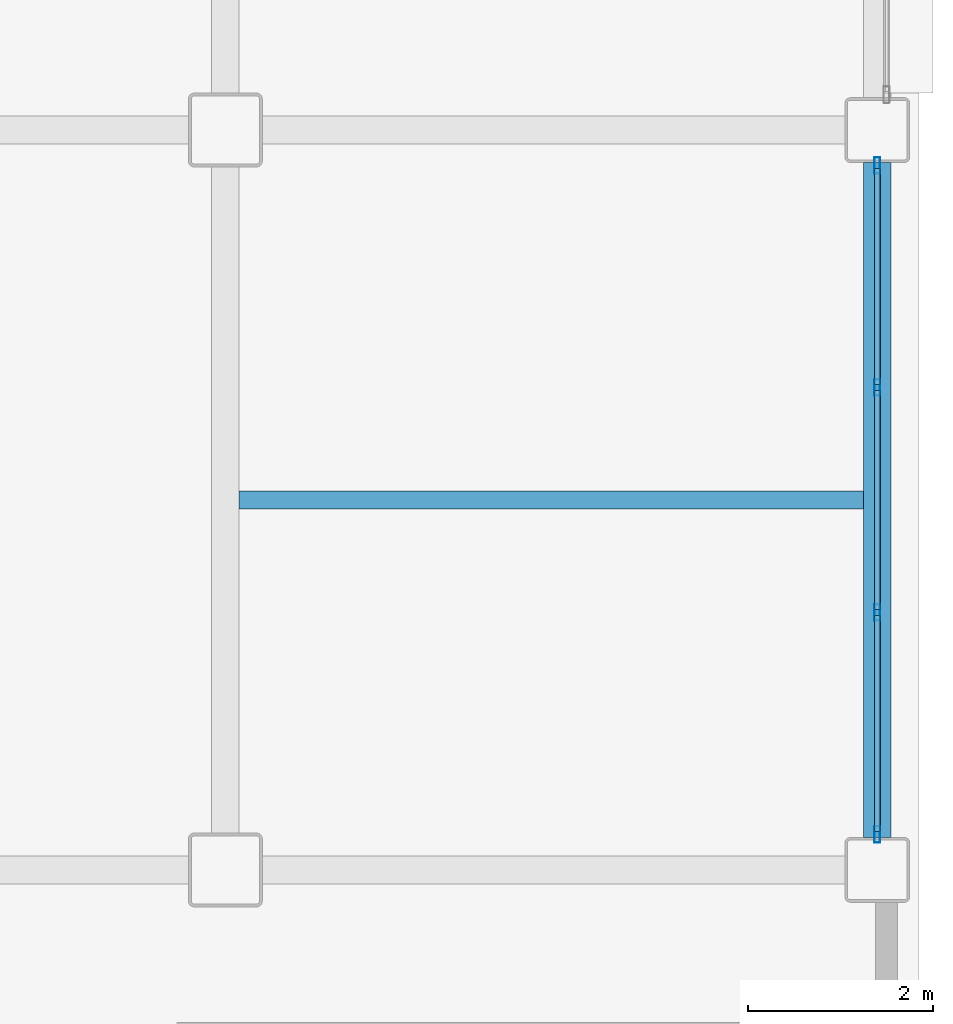
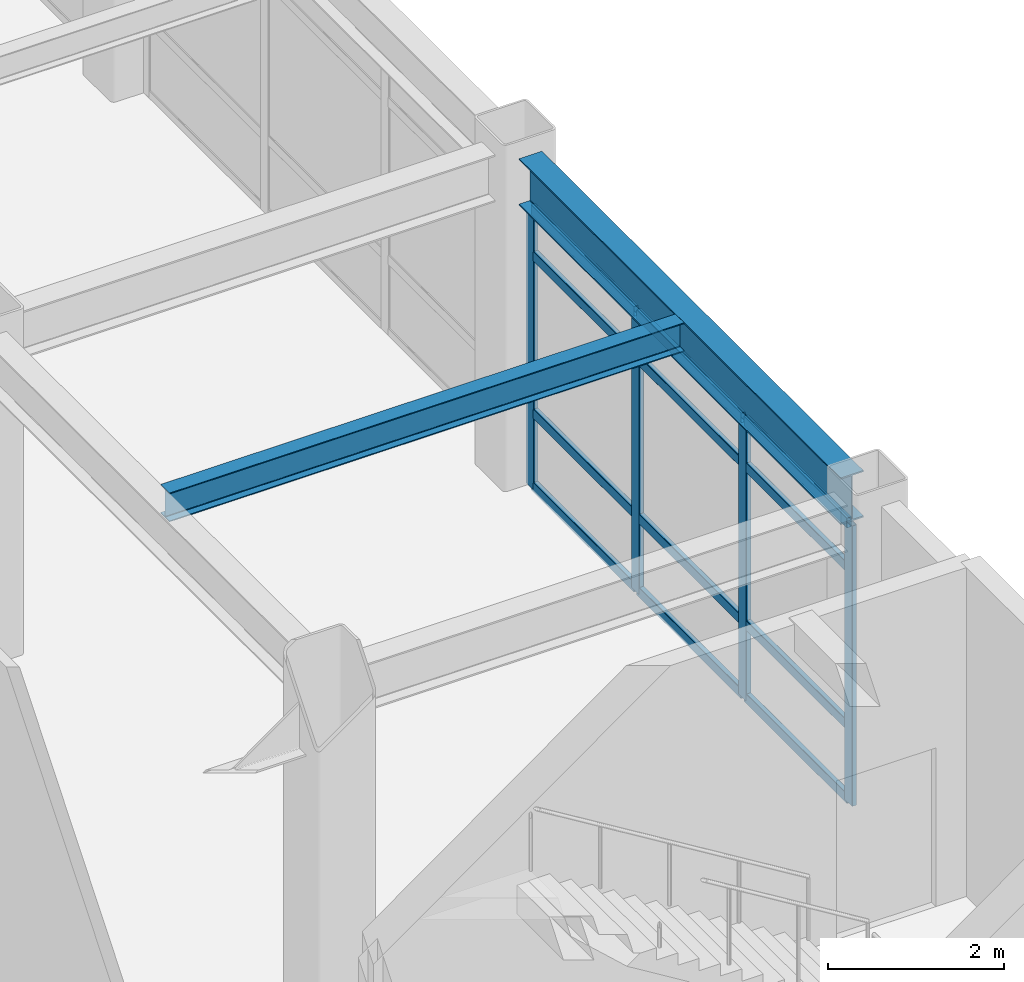
# One storey, part 89 of 154: 16 members, 2 beams, 1 element without a shape of its own.
"""IFC4 building model written with IfcOpenShell, lengths in metres."""

from ifc_helpers import new_model, si_unit, direction, frame, origin, origin_2d, place, context, subcontext, project, spatial, hollow_rectangle, i_section, extrude, material, layer, layer_set, material_profile, profile_set, type_object, element, aggregate, save


model = new_model("IFC4")

# Units and contexts
model_context = context("Model", 3, precision=1e-05, world=origin(), true_north=direction((0.0, 1.0)))
body_context = subcontext(model_context, "Body", "Model", "MODEL_VIEW")
ifc_project = project(units=[si_unit("LENGTHUNIT", "METRE"), si_unit("AREAUNIT", "SQUARE_METRE"), si_unit("VOLUMEUNIT", "CUBIC_METRE"), si_unit("PLANEANGLEUNIT", "RADIAN"), si_unit("MASSUNIT", "GRAM", prefix="KILO")], contexts=[model_context])

# Site, building, storey
site_placement = place(None, origin())
site = spatial("IfcSite", under=ifc_project, at=site_placement, CompositionType="ELEMENT")
building_placement = place(site_placement, origin())
building = spatial("IfcBuilding", under=site, at=building_placement, Name="Kazehara Bluff Congress Hotel", CompositionType="ELEMENT")
storey_placement = place(building_placement, frame((0.0, 0.0, 10.199951171875)))
storey = spatial("IfcBuildingStorey", under=building, at=storey_placement, Name="L02", CompositionType="ELEMENT", Elevation=10.199951171875)

# Curtain wall, members
ifc_material_1 = material(Name="Anodised aluminium", Category="aluminium")
ifc_layer = layer(ifc_material_1, 0.159912109375)
ifc_layer_set = layer_set([ifc_layer], Name="Anodised aluminium")
curtain_wall_type = type_object("IfcCurtainWallType", Name="TP-CW-80", PredefinedType="NOTDEFINED", material=ifc_layer_set)
curtain_wall_placement = place(storey_placement, origin())
curtain_wall = element("IfcCurtainWall", 1, at=curtain_wall_placement, inside=storey, type_object=curtain_wall_type, Name="L02 curtain wall CW-80 CW-V5-L02-X16755-2435", PredefinedType="NOTDEFINED")
ifc_material_2 = material(Name="Anodised aluminium", Category="aluminium")
ifc_material_profile_1 = material_profile(ifc_material_2, hollow_rectangle(XDim=0.06494140625, YDim=0.179931640625, WallThickness=0.00390625, InnerFilletRadius=0.00390625, OuterFilletRadius=0.008056640625, at=origin_2d()))
ifc_profile_set_1 = profile_set([ifc_material_profile_1], Name="Anodised aluminium")
member_type_1 = type_object("IfcMemberType", Name="TP-CWM-02", PredefinedType="MULLION", material=ifc_profile_set_1)
member_1_placement = place(storey_placement, frame((167.550048828125, 24.382568359375, 0.0), z_axis=(0.0, 0.0, 1.0), x_axis=(-1.0, 0.0, 0.0)))
member_1 = element("IfcMember", 2, at=member_1_placement, type_object=member_type_1, Name="CW-80 mullion 1", PredefinedType="MULLION", context=body_context, shape_type="SweptSolid", body=[
    extrude(hollow_rectangle(XDim=0.06494140625, YDim=0.179931640625, WallThickness=0.00390625, InnerFilletRadius=0.00390625, OuterFilletRadius=0.008056640625, at=origin_2d()), origin(), (0.0, 0.0, 1.0), 3.885009765625),
])
member_2_placement = place(storey_placement, frame((167.550048828125, 26.783447265625, 0.0), z_axis=(0.0, 0.0, 1.0), x_axis=(-1.0, 0.0, 0.0)))
member_2 = element("IfcMember", 3, at=member_2_placement, type_object=member_type_1, Name="CW-80 mullion 2", PredefinedType="MULLION", context=body_context, shape_type="SweptSolid", body=[
    extrude(hollow_rectangle(XDim=0.06494140625, YDim=0.179931640625, WallThickness=0.00390625, InnerFilletRadius=0.00390625, OuterFilletRadius=0.008056640625, at=origin_2d()), origin(), (0.0, 0.0, 1.0), 3.885009765625),
])
member_3_placement = place(storey_placement, frame((167.550048828125, 29.216552734375, 0.0), z_axis=(0.0, 0.0, 1.0), x_axis=(-1.0, 0.0, 0.0)))
member_3 = element("IfcMember", 4, at=member_3_placement, type_object=member_type_1, Name="CW-80 mullion 3", PredefinedType="MULLION", context=body_context, shape_type="SweptSolid", body=[
    extrude(hollow_rectangle(XDim=0.06494140625, YDim=0.179931640625, WallThickness=0.00390625, InnerFilletRadius=0.00390625, OuterFilletRadius=0.008056640625, at=origin_2d()), origin(), (0.0, 0.0, 1.0), 3.885009765625),
])
member_4_placement = place(storey_placement, frame((167.550048828125, 31.617431640625, 0.0), z_axis=(0.0, 0.0, 1.0), x_axis=(-1.0, 0.0, 0.0)))
member_4 = element("IfcMember", 5, at=member_4_placement, type_object=member_type_1, Name="CW-80 mullion 4", PredefinedType="MULLION", context=body_context, shape_type="SweptSolid", body=[
    extrude(hollow_rectangle(XDim=0.06494140625, YDim=0.179931640625, WallThickness=0.00390625, InnerFilletRadius=0.00390625, OuterFilletRadius=0.008056640625, at=origin_2d()), origin(), (0.0, 0.0, 1.0), 3.885009765625),
])
ifc_material_3 = material(Name="Anodised aluminium", Category="aluminium")
ifc_material_profile_2 = material_profile(ifc_material_3, hollow_rectangle(XDim=0.06494140625, YDim=0.139892578125, WallThickness=0.00390625, InnerFilletRadius=0.00390625, OuterFilletRadius=0.008056640625, at=origin_2d()))
ifc_profile_set_2 = profile_set([ifc_material_profile_2], Name="Anodised aluminium")
member_type_2 = type_object("IfcMemberType", Name="TP-CWT-02", PredefinedType="USERDEFINED", material=ifc_profile_set_2)
member_5_placement = place(storey_placement, frame((167.550048828125, 24.4150390625, 0.032470703125), z_axis=(0.0, 1.0, 0.0), x_axis=(-1.0, 0.0, 0.0)))
member_5 = element("IfcMember", 6, at=member_5_placement, type_object=member_type_2, Name="CW-80 transom 1.1", ObjectType="TRANSOM", PredefinedType="USERDEFINED", context=body_context, shape_type="SweptSolid", body=[
    extrude(hollow_rectangle(XDim=0.06494140625, YDim=0.139892578125, WallThickness=0.00390625, InnerFilletRadius=0.00390625, OuterFilletRadius=0.008056640625, at=origin_2d()), origin(), (0.0, 0.0, 1.0), 2.335693359375),
])
member_6_placement = place(storey_placement, frame((167.550048828125, 24.4150390625, 1.050048828125), z_axis=(0.0, 1.0, 0.0), x_axis=(-1.0, 0.0, 0.0)))
member_6 = element("IfcMember", 7, at=member_6_placement, type_object=member_type_2, Name="CW-80 transom 1.2", ObjectType="TRANSOM", PredefinedType="USERDEFINED", context=body_context, shape_type="SweptSolid", body=[
    extrude(hollow_rectangle(XDim=0.06494140625, YDim=0.139892578125, WallThickness=0.00390625, InnerFilletRadius=0.00390625, OuterFilletRadius=0.008056640625, at=origin_2d()), origin(), (0.0, 0.0, 1.0), 2.335693359375),
])
member_7_placement = place(storey_placement, frame((167.550048828125, 24.4150390625, 3.235107421875), z_axis=(0.0, 1.0, 0.0), x_axis=(-1.0, 0.0, 0.0)))
member_7 = element("IfcMember", 8, at=member_7_placement, type_object=member_type_2, Name="CW-80 transom 1.3", ObjectType="TRANSOM", PredefinedType="USERDEFINED", context=body_context, shape_type="SweptSolid", body=[
    extrude(hollow_rectangle(XDim=0.06494140625, YDim=0.139892578125, WallThickness=0.00390625, InnerFilletRadius=0.00390625, OuterFilletRadius=0.008056640625, at=origin_2d()), origin(), (0.0, 0.0, 1.0), 2.335693359375),
])
member_8_placement = place(storey_placement, frame((167.550048828125, 24.4150390625, 3.8525390625), z_axis=(0.0, 1.0, 0.0), x_axis=(-1.0, 0.0, 0.0)))
member_8 = element("IfcMember", 9, at=member_8_placement, type_object=member_type_2, Name="CW-80 transom 1.4", ObjectType="TRANSOM", PredefinedType="USERDEFINED", context=body_context, shape_type="SweptSolid", body=[
    extrude(hollow_rectangle(XDim=0.06494140625, YDim=0.139892578125, WallThickness=0.00390625, InnerFilletRadius=0.00390625, OuterFilletRadius=0.008056640625, at=origin_2d()), origin(), (0.0, 0.0, 1.0), 2.335693359375),
])
member_9_placement = place(storey_placement, frame((167.550048828125, 26.81591796875, 0.032470703125), z_axis=(0.0, 1.0, 0.0), x_axis=(-1.0, 0.0, 0.0)))
member_9 = element("IfcMember", 10, at=member_9_placement, type_object=member_type_2, Name="CW-80 transom 2.1", ObjectType="TRANSOM", PredefinedType="USERDEFINED", context=body_context, shape_type="SweptSolid", body=[
    extrude(hollow_rectangle(XDim=0.06494140625, YDim=0.139892578125, WallThickness=0.00390625, InnerFilletRadius=0.00390625, OuterFilletRadius=0.008056640625, at=origin_2d()), origin(), (0.0, 0.0, 1.0), 2.3681640625),
])
member_10_placement = place(storey_placement, frame((167.550048828125, 26.81591796875, 1.050048828125), z_axis=(0.0, 1.0, 0.0), x_axis=(-1.0, 0.0, 0.0)))
member_10 = element("IfcMember", 11, at=member_10_placement, type_object=member_type_2, Name="CW-80 transom 2.2", ObjectType="TRANSOM", PredefinedType="USERDEFINED", context=body_context, shape_type="SweptSolid", body=[
    extrude(hollow_rectangle(XDim=0.06494140625, YDim=0.139892578125, WallThickness=0.00390625, InnerFilletRadius=0.00390625, OuterFilletRadius=0.008056640625, at=origin_2d()), origin(), (0.0, 0.0, 1.0), 2.3681640625),
])
member_11_placement = place(storey_placement, frame((167.550048828125, 26.81591796875, 3.235107421875), z_axis=(0.0, 1.0, 0.0), x_axis=(-1.0, 0.0, 0.0)))
member_11 = element("IfcMember", 12, at=member_11_placement, type_object=member_type_2, Name="CW-80 transom 2.3", ObjectType="TRANSOM", PredefinedType="USERDEFINED", context=body_context, shape_type="SweptSolid", body=[
    extrude(hollow_rectangle(XDim=0.06494140625, YDim=0.139892578125, WallThickness=0.00390625, InnerFilletRadius=0.00390625, OuterFilletRadius=0.008056640625, at=origin_2d()), origin(), (0.0, 0.0, 1.0), 2.3681640625),
])
member_12_placement = place(storey_placement, frame((167.550048828125, 26.81591796875, 3.8525390625), z_axis=(0.0, 1.0, 0.0), x_axis=(-1.0, 0.0, 0.0)))
member_12 = element("IfcMember", 13, at=member_12_placement, type_object=member_type_2, Name="CW-80 transom 2.4", ObjectType="TRANSOM", PredefinedType="USERDEFINED", context=body_context, shape_type="SweptSolid", body=[
    extrude(hollow_rectangle(XDim=0.06494140625, YDim=0.139892578125, WallThickness=0.00390625, InnerFilletRadius=0.00390625, OuterFilletRadius=0.008056640625, at=origin_2d()), origin(), (0.0, 0.0, 1.0), 2.3681640625),
])
member_13_placement = place(storey_placement, frame((167.550048828125, 29.249267578125, 0.032470703125), z_axis=(0.0, 1.0, 0.0), x_axis=(-1.0, 0.0, 0.0)))
member_13 = element("IfcMember", 14, at=member_13_placement, type_object=member_type_2, Name="CW-80 transom 3.1", ObjectType="TRANSOM", PredefinedType="USERDEFINED", context=body_context, shape_type="SweptSolid", body=[
    extrude(hollow_rectangle(XDim=0.06494140625, YDim=0.139892578125, WallThickness=0.00390625, InnerFilletRadius=0.00390625, OuterFilletRadius=0.008056640625, at=origin_2d()), origin(), (0.0, 0.0, 1.0), 2.335693359375),
])
member_14_placement = place(storey_placement, frame((167.550048828125, 29.249267578125, 1.050048828125), z_axis=(0.0, 1.0, 0.0), x_axis=(-1.0, 0.0, 0.0)))
member_14 = element("IfcMember", 15, at=member_14_placement, type_object=member_type_2, Name="CW-80 transom 3.2", ObjectType="TRANSOM", PredefinedType="USERDEFINED", context=body_context, shape_type="SweptSolid", body=[
    extrude(hollow_rectangle(XDim=0.06494140625, YDim=0.139892578125, WallThickness=0.00390625, InnerFilletRadius=0.00390625, OuterFilletRadius=0.008056640625, at=origin_2d()), origin(), (0.0, 0.0, 1.0), 2.335693359375),
])
member_15_placement = place(storey_placement, frame((167.550048828125, 29.249267578125, 3.235107421875), z_axis=(0.0, 1.0, 0.0), x_axis=(-1.0, 0.0, 0.0)))
member_15 = element("IfcMember", 16, at=member_15_placement, type_object=member_type_2, Name="CW-80 transom 3.3", ObjectType="TRANSOM", PredefinedType="USERDEFINED", context=body_context, shape_type="SweptSolid", body=[
    extrude(hollow_rectangle(XDim=0.06494140625, YDim=0.139892578125, WallThickness=0.00390625, InnerFilletRadius=0.00390625, OuterFilletRadius=0.008056640625, at=origin_2d()), origin(), (0.0, 0.0, 1.0), 2.335693359375),
])
member_16_placement = place(storey_placement, frame((167.550048828125, 29.249267578125, 3.8525390625), z_axis=(0.0, 1.0, 0.0), x_axis=(-1.0, 0.0, 0.0)))
member_16 = element("IfcMember", 17, at=member_16_placement, type_object=member_type_2, Name="CW-80 transom 3.4", ObjectType="TRANSOM", PredefinedType="USERDEFINED", context=body_context, shape_type="SweptSolid", body=[
    extrude(hollow_rectangle(XDim=0.06494140625, YDim=0.139892578125, WallThickness=0.00390625, InnerFilletRadius=0.00390625, OuterFilletRadius=0.008056640625, at=origin_2d()), origin(), (0.0, 0.0, 1.0), 2.335693359375),
])
aggregate(curtain_wall, [member_1, member_2, member_3, member_4, member_5, member_6, member_7, member_8, member_9, member_10, member_11, member_12, member_13, member_14, member_15, member_16])

# Beams
ifc_material_4 = material(Name="Steel SN490B", Category="steel")
ifc_material_profile_3 = material_profile(ifc_material_4, i_section(OverallWidth=0.300048828125, OverallDepth=0.64990234375, WebThickness=0.011962890625, FlangeThickness=0.02001953125, FilletRadius=0.012939453125, at=origin_2d()))
ifc_profile_set_3 = profile_set([ifc_material_profile_3], Name="Steel SN490B")
beam_type_1 = type_object("IfcBeamType", Name="TP-G-03", PredefinedType="BEAM", material=ifc_profile_set_3)
beam_1_placement = place(storey_placement, frame((167.550048828125, 24.35009765625, 4.235107421875), z_axis=(0.0, 1.0, 0.0), x_axis=(-1.0, 0.0, 0.0)))
element("IfcBeam", 18, at=beam_1_placement, inside=storey, type_object=beam_type_1, Name="L02 girder G-03 171", PredefinedType="BEAM", context=body_context, shape_type="SweptSolid", body=[
    extrude(i_section(OverallWidth=0.300048828125, OverallDepth=0.64990234375, WebThickness=0.011962890625, FlangeThickness=0.02001953125, FilletRadius=0.012939453125, at=origin_2d()), origin(), (0.0, 0.0, 1.0), 7.2998046875),
])
ifc_material_5 = material(Name="Steel SN400B", Category="steel")
ifc_material_profile_4 = material_profile(ifc_material_5, i_section(OverallWidth=0.199951171875, OverallDepth=0.39990234375, WebThickness=0.008056640625, FlangeThickness=0.012939453125, FilletRadius=0.012939453125, at=origin_2d()))
ifc_profile_set_4 = profile_set([ifc_material_profile_4], Name="Steel SN400B")
beam_type_2 = type_object("IfcBeamType", Name="TP-J-03", PredefinedType="JOIST", material=ifc_profile_set_4)
beam_2_placement = place(storey_placement, frame((160.64990234375, 28.0, 4.360107421875), z_axis=(1.0, 0.0, 0.0), x_axis=(0.0, 1.0, 0.0)))
element("IfcBeam", 19, at=beam_2_placement, inside=storey, type_object=beam_type_2, Name="L02 secondary joist J-03 45", PredefinedType="JOIST", context=body_context, shape_type="SweptSolid", body=[
    extrude(i_section(OverallWidth=0.199951171875, OverallDepth=0.39990234375, WebThickness=0.008056640625, FlangeThickness=0.012939453125, FilletRadius=0.012939453125, at=origin_2d()), origin(), (0.0, 0.0, 1.0), 6.75),
])

save(model, "model.ifc")
